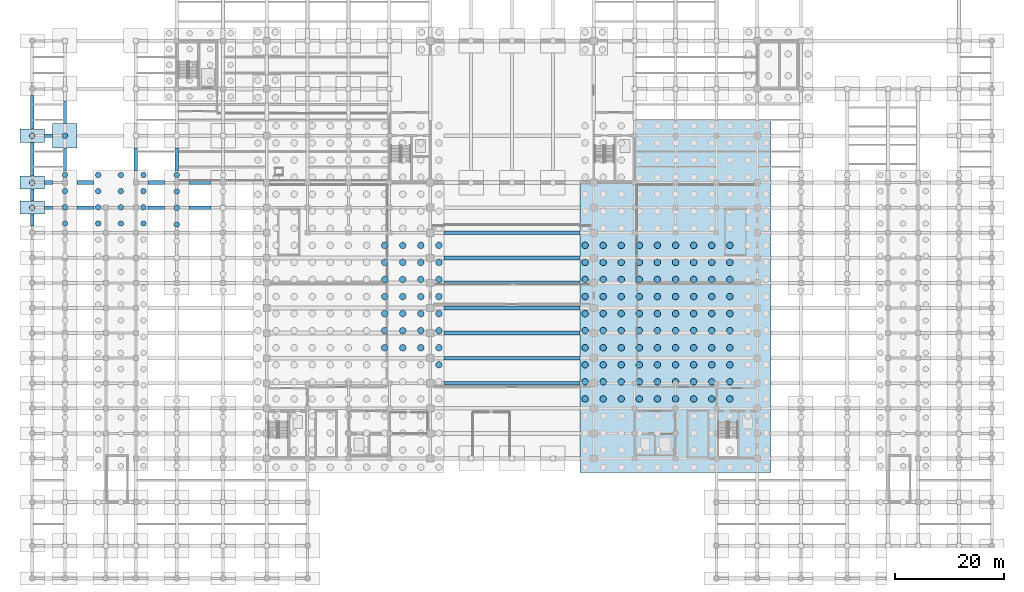
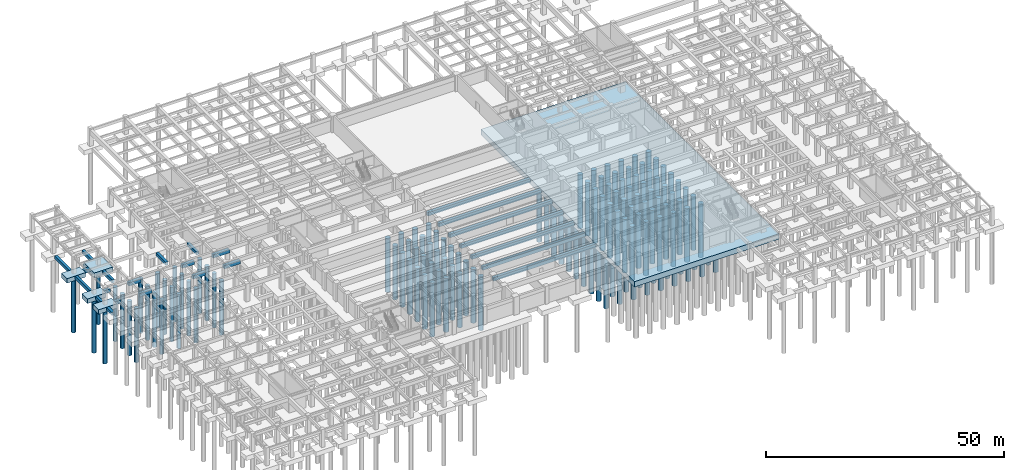
# One storey, part 4 of 32: 143 piles, 29 footings.
"""IFC4 building model written with IfcOpenShell, lengths in metres."""

from ifc_helpers import new_model, si_unit, direction, frame, origin, origin_2d, place, context, subcontext, project, spatial, rectangle, circle, extrude, material, material_profile, profile_set, type_object, element, save


model = new_model("IFC4")

# Units and contexts
model_context = context("Model", 3, precision=1e-05, world=origin(), true_north=direction((0.0, 1.0)))
body_context = subcontext(model_context, "Body", "Model", "MODEL_VIEW")
ifc_project = project(units=[si_unit("LENGTHUNIT", "METRE"), si_unit("AREAUNIT", "SQUARE_METRE"), si_unit("VOLUMEUNIT", "CUBIC_METRE"), si_unit("PLANEANGLEUNIT", "RADIAN"), si_unit("MASSUNIT", "GRAM", prefix="KILO")], contexts=[model_context])

# Site, building, storey
site_placement = place(None, origin())
site = spatial("IfcSite", under=ifc_project, at=site_placement, CompositionType="ELEMENT")
building_placement = place(site_placement, origin())
building = spatial("IfcBuilding", under=site, at=building_placement, Name="Muzn Square Opera House", CompositionType="ELEMENT")
storey_placement = place(building_placement, frame((0.0, 0.0, -4.199951171875)))
storey = spatial("IfcBuildingStorey", under=building, at=storey_placement, Name="B1", CompositionType="ELEMENT", Elevation=-4.199951171875)

# Piles
ifc_material = material(Name="Concrete C40/50", Category="concrete")
ifc_material_profile_1 = material_profile(ifc_material, circle(Radius=0.5, at=origin_2d()), Name="BORED PILE D1000", Category="concrete")
ifc_profile_set_1 = profile_set([ifc_material_profile_1], Name="Concrete C40/50")
pile_type_1 = type_object("IfcPileType", Name="Bored Pile D1000", PredefinedType="BORED", material=ifc_profile_set_1)
for number, where, z_axis, x_axis, name in (
    (1, (6.0, 65.10009765625, -1.570068359375), (0.0, 0.0, -1.0), (1.0, 0.0, 0.0), "Bored Pile BP-B1-BP-D1000-60_651-528"),
    (2, (6.0, 68.066650390625, -1.570068359375), (0.0, 0.0, -1.0), (1.0, 0.0, 0.0), "Bored Pile BP-B1-BP-D1000-60_681-529"),
    (3, (6.0, 71.033203125, -1.570068359375), (0.0, 0.0, -1.0), (1.0, 0.0, 0.0), "Bored Pile BP-B1-BP-D1000-60_710-530"),
    (4, (6.0, 74.0, -1.570068359375), (0.0, 0.0, -1.0), (1.0, 0.0, 0.0), "Bored Pile BP-B1-BP-D1000-60_740-531"),
    (5, (12.10009765625, 65.10009765625, -1.570068359375), (0.0, 0.0, -1.0), (1.0, 0.0, 0.0), "Bored Pile BP-B1-BP-D1000-121_651-547"),
    (6, (12.10009765625, 68.066650390625, -1.570068359375), (0.0, 0.0, -1.0), (1.0, 0.0, 0.0), "Bored Pile BP-B1-BP-D1000-121_681-548"),
    (7, (12.10009765625, 71.033203125, -1.570068359375), (0.0, 0.0, -1.0), (1.0, 0.0, 0.0), "Bored Pile BP-B1-BP-D1000-121_710-549"),
    (8, (12.10009765625, 74.0, -1.570068359375), (0.0, 0.0, -1.0), (1.0, 0.0, 0.0), "Bored Pile BP-B1-BP-D1000-121_740-550"),
    (9, (16.25, 65.10009765625, -1.570068359375), (0.0, 0.0, -1.0), (1.0, 0.0, 0.0), "Bored Pile BP-B1-BP-D1000-162_651-566"),
    (10, (16.25, 68.066650390625, -1.570068359375), (0.0, 0.0, -1.0), (1.0, 0.0, 0.0), "Bored Pile BP-B1-BP-D1000-162_681-567"),
    (11, (16.25, 71.033203125, -1.570068359375), (0.0, 0.0, -1.0), (1.0, 0.0, 0.0), "Bored Pile BP-B1-BP-D1000-162_710-568"),
    (12, (16.25, 74.0, -1.570068359375), (0.0, 0.0, -1.0), (1.0, 0.0, 0.0), "Bored Pile BP-B1-BP-D1000-162_740-569"),
    (13, (20.39990234375, 65.10009765625, -1.570068359375), (0.0, 0.0, -1.0), (1.0, 0.0, 0.0), "Bored Pile BP-B1-BP-D1000-204_651-585"),
    (14, (20.39990234375, 68.066650390625, -1.570068359375), (0.0, 0.0, -1.0), (1.0, 0.0, 0.0), "Bored Pile BP-B1-BP-D1000-204_681-586"),
    (15, (20.39990234375, 71.033203125, -1.570068359375), (0.0, 0.0, -1.0), (1.0, 0.0, 0.0), "Bored Pile BP-B1-BP-D1000-204_710-587"),
    (16, (20.39990234375, 74.0, -1.570068359375), (0.0, 0.0, -1.0), (1.0, 0.0, 0.0), "Bored Pile BP-B1-BP-D1000-204_740-588"),
    (17, (26.5, 64.914306640625, -1.570068359375), (0.0, 0.0, -1.0), (1.0, 0.0, 0.0), "Bored Pile BP-B1-BP-D1000-265_649-706"),
    (18, (26.5, 67.94287109375, -1.570068359375), (0.0, 0.0, -1.0), (1.0, 0.0, 0.0), "Bored Pile BP-B1-BP-D1000-265_679-707"),
    (19, (26.5, 70.971435546875, -1.570068359375), (0.0, 0.0, -1.0), (1.0, 0.0, 0.0), "Bored Pile BP-B1-BP-D1000-265_710-708"),
    (20, (26.5, 74.0, -1.570068359375), (0.0, 0.0, -1.0), (1.0, 0.0, 0.0), "Bored Pile BP-B1-BP-D1000-265_740-709"),
):
    element("IfcPile", number, at=place(storey_placement, frame(where, z_axis=z_axis, x_axis=x_axis)), inside=storey, type_object=pile_type_1, Name=name, PredefinedType="BORED", context=body_context, shape_type="SweptSolid", body=[
        extrude(circle(Radius=0.5, at=origin_2d()), origin(), (0.0, 0.0, 1.0), 13.929931640625),
    ])
for number, where, z_axis, x_axis, name in (
    (21, (0.0, 68.0, -1.469970703125), (0.0, 0.0, -1.0), (1.0, 0.0, 0.0), "Bored Pile BP-B1-BP-D1000-0_680-740"),
    (22, (0.0, 72.60009765625, -1.469970703125), (0.0, 0.0, -1.0), (1.0, 0.0, 0.0), "Bored Pile BP-B1-BP-D1000-0_726-745"),
):
    element("IfcPile", number, at=place(storey_placement, frame(where, z_axis=z_axis, x_axis=x_axis)), inside=storey, type_object=pile_type_1, Name=name, PredefinedType="BORED", context=body_context, shape_type="SweptSolid", body=[
        extrude(circle(Radius=0.5, at=origin_2d()), origin(), (0.0, 0.0, 1.0), 14.030029296875),
    ])
pile_1_placement = place(storey_placement, frame((6.0, 81.199951171875, -1.570068359375), z_axis=(0.0, 0.0, -1.0), x_axis=(1.0, 0.0, 0.0)))
element("IfcPile", 23, at=pile_1_placement, inside=storey, type_object=pile_type_1, Name="Bored Pile BP-B1-BP-D1000-60_812-747", PredefinedType="BORED", context=body_context, shape_type="SweptSolid", body=[
    extrude(circle(Radius=0.5, at=origin_2d()), origin(), (0.0, 0.0, 1.0), 13.929931640625),
])
pile_2_placement = place(storey_placement, frame((0.0, 81.199951171875, -1.469970703125), z_axis=(0.0, 0.0, -1.0), x_axis=(1.0, 0.0, 0.0)))
element("IfcPile", 24, at=pile_2_placement, inside=storey, type_object=pile_type_1, Name="Bored Pile BP-B1-BP-D1000-0_812-753", PredefinedType="BORED", context=body_context, shape_type="SweptSolid", body=[
    extrude(circle(Radius=0.5, at=origin_2d()), origin(), (0.0, 0.0, 1.0), 14.030029296875),
])
ifc_material_profile_2 = material_profile(ifc_material, circle(Radius=0.60009765625, at=origin_2d()), Name="BORED PILE D1200", Category="concrete")
ifc_profile_set_2 = profile_set([ifc_material_profile_2], Name="Concrete C40/50")
pile_type_2 = type_object("IfcPileType", Name="Bored Pile D1200", PredefinedType="BORED", material=ifc_profile_set_2)
for number, where, z_axis, x_axis, name in (
    (25, (64.639892578125, 42.31005859375, -1.719970703125), (0.0, 0.0, -1.0), (1.0, 0.0, 0.0), "Bored Pile BP-B1-BP-D1200-646_423-205"),
    (26, (64.639892578125, 45.43994140625, -1.719970703125), (0.0, 0.0, -1.0), (1.0, 0.0, 0.0), "Bored Pile BP-B1-BP-D1200-646_454-206"),
    (27, (64.639892578125, 48.570068359375, -1.719970703125), (0.0, 0.0, -1.0), (1.0, 0.0, 0.0), "Bored Pile BP-B1-BP-D1200-646_486-207"),
    (28, (64.639892578125, 51.699951171875, -1.719970703125), (0.0, 0.0, -1.0), (1.0, 0.0, 0.0), "Bored Pile BP-B1-BP-D1200-646_517-208"),
    (29, (64.639892578125, 54.830078125, -1.719970703125), (0.0, 0.0, -1.0), (1.0, 0.0, 0.0), "Bored Pile BP-B1-BP-D1200-646_548-209"),
    (30, (64.639892578125, 57.9599609375, -1.719970703125), (0.0, 0.0, -1.0), (1.0, 0.0, 0.0), "Bored Pile BP-B1-BP-D1200-646_580-210"),
    (31, (64.639892578125, 61.090087890625, -1.719970703125), (0.0, 0.0, -1.0), (1.0, 0.0, 0.0), "Bored Pile BP-B1-BP-D1200-646_611-211"),
    (32, (67.9599609375, 42.31005859375, -1.719970703125), (0.0, 0.0, -1.0), (1.0, 0.0, 0.0), "Bored Pile BP-B1-BP-D1200-680_423-226"),
    (33, (67.9599609375, 45.43994140625, -1.719970703125), (0.0, 0.0, -1.0), (1.0, 0.0, 0.0), "Bored Pile BP-B1-BP-D1200-680_454-227"),
    (34, (67.9599609375, 48.570068359375, -1.719970703125), (0.0, 0.0, -1.0), (1.0, 0.0, 0.0), "Bored Pile BP-B1-BP-D1200-680_486-228"),
    (35, (67.9599609375, 51.699951171875, -1.719970703125), (0.0, 0.0, -1.0), (1.0, 0.0, 0.0), "Bored Pile BP-B1-BP-D1200-680_517-229"),
    (36, (67.9599609375, 54.830078125, -1.719970703125), (0.0, 0.0, -1.0), (1.0, 0.0, 0.0), "Bored Pile BP-B1-BP-D1200-680_548-230"),
    (37, (67.9599609375, 57.9599609375, -1.719970703125), (0.0, 0.0, -1.0), (1.0, 0.0, 0.0), "Bored Pile BP-B1-BP-D1200-680_580-231"),
    (38, (67.9599609375, 61.090087890625, -1.719970703125), (0.0, 0.0, -1.0), (1.0, 0.0, 0.0), "Bored Pile BP-B1-BP-D1200-680_611-232"),
    (39, (71.280029296875, 42.31005859375, -1.719970703125), (0.0, 0.0, -1.0), (1.0, 0.0, 0.0), "Bored Pile BP-B1-BP-D1200-713_423-247"),
    (40, (71.280029296875, 45.43994140625, -1.719970703125), (0.0, 0.0, -1.0), (1.0, 0.0, 0.0), "Bored Pile BP-B1-BP-D1200-713_454-248"),
    (41, (71.280029296875, 48.570068359375, -1.719970703125), (0.0, 0.0, -1.0), (1.0, 0.0, 0.0), "Bored Pile BP-B1-BP-D1200-713_486-249"),
    (42, (71.280029296875, 51.699951171875, -1.719970703125), (0.0, 0.0, -1.0), (1.0, 0.0, 0.0), "Bored Pile BP-B1-BP-D1200-713_517-250"),
    (43, (71.280029296875, 54.830078125, -1.719970703125), (0.0, 0.0, -1.0), (1.0, 0.0, 0.0), "Bored Pile BP-B1-BP-D1200-713_548-251"),
    (44, (71.280029296875, 57.9599609375, -1.719970703125), (0.0, 0.0, -1.0), (1.0, 0.0, 0.0), "Bored Pile BP-B1-BP-D1200-713_580-252"),
    (45, (71.280029296875, 61.090087890625, -1.719970703125), (0.0, 0.0, -1.0), (1.0, 0.0, 0.0), "Bored Pile BP-B1-BP-D1200-713_611-253"),
    (46, (74.60009765625, 39.179931640625, -1.719970703125), (0.0, 0.0, -1.0), (1.0, 0.0, 0.0), "Bored Pile BP-B1-BP-D1200-746_392-267"),
    (47, (74.60009765625, 42.31005859375, -1.719970703125), (0.0, 0.0, -1.0), (1.0, 0.0, 0.0), "Bored Pile BP-B1-BP-D1200-746_423-268"),
    (48, (74.60009765625, 45.43994140625, -1.719970703125), (0.0, 0.0, -1.0), (1.0, 0.0, 0.0), "Bored Pile BP-B1-BP-D1200-746_454-269"),
    (49, (74.60009765625, 48.570068359375, -1.719970703125), (0.0, 0.0, -1.0), (1.0, 0.0, 0.0), "Bored Pile BP-B1-BP-D1200-746_486-270"),
    (50, (74.60009765625, 51.699951171875, -1.719970703125), (0.0, 0.0, -1.0), (1.0, 0.0, 0.0), "Bored Pile BP-B1-BP-D1200-746_517-271"),
    (51, (74.60009765625, 54.830078125, -1.719970703125), (0.0, 0.0, -1.0), (1.0, 0.0, 0.0), "Bored Pile BP-B1-BP-D1200-746_548-272"),
    (52, (74.60009765625, 57.9599609375, -1.719970703125), (0.0, 0.0, -1.0), (1.0, 0.0, 0.0), "Bored Pile BP-B1-BP-D1200-746_580-273"),
    (53, (74.60009765625, 61.090087890625, -1.719970703125), (0.0, 0.0, -1.0), (1.0, 0.0, 0.0), "Bored Pile BP-B1-BP-D1200-746_611-274"),
    (54, (101.39990234375, 32.919921875, -1.719970703125), (0.0, 0.0, -1.0), (1.0, 0.0, 0.0), "Bored Pile BP-B1-BP-D1200-1014_329-286"),
    (55, (101.39990234375, 36.050048828125, -1.719970703125), (0.0, 0.0, -1.0), (1.0, 0.0, 0.0), "Bored Pile BP-B1-BP-D1200-1014_360-287"),
    (56, (101.39990234375, 39.179931640625, -1.719970703125), (0.0, 0.0, -1.0), (1.0, 0.0, 0.0), "Bored Pile BP-B1-BP-D1200-1014_392-288"),
    (57, (101.39990234375, 42.31005859375, -1.719970703125), (0.0, 0.0, -1.0), (1.0, 0.0, 0.0), "Bored Pile BP-B1-BP-D1200-1014_423-289"),
    (58, (101.39990234375, 45.43994140625, -1.719970703125), (0.0, 0.0, -1.0), (1.0, 0.0, 0.0), "Bored Pile BP-B1-BP-D1200-1014_454-290"),
    (59, (101.39990234375, 48.570068359375, -1.719970703125), (0.0, 0.0, -1.0), (1.0, 0.0, 0.0), "Bored Pile BP-B1-BP-D1200-1014_486-291"),
    (60, (101.39990234375, 51.699951171875, -1.719970703125), (0.0, 0.0, -1.0), (1.0, 0.0, 0.0), "Bored Pile BP-B1-BP-D1200-1014_517-292"),
    (61, (101.39990234375, 54.830078125, -1.719970703125), (0.0, 0.0, -1.0), (1.0, 0.0, 0.0), "Bored Pile BP-B1-BP-D1200-1014_548-293"),
    (62, (101.39990234375, 57.9599609375, -1.719970703125), (0.0, 0.0, -1.0), (1.0, 0.0, 0.0), "Bored Pile BP-B1-BP-D1200-1014_580-294"),
    (63, (101.39990234375, 61.090087890625, -1.719970703125), (0.0, 0.0, -1.0), (1.0, 0.0, 0.0), "Bored Pile BP-B1-BP-D1200-1014_611-295"),
    (64, (104.719970703125, 32.919921875, -1.719970703125), (0.0, 0.0, -1.0), (1.0, 0.0, 0.0), "Bored Pile BP-B1-BP-D1200-1047_329-307"),
    (65, (104.719970703125, 36.050048828125, -1.719970703125), (0.0, 0.0, -1.0), (1.0, 0.0, 0.0), "Bored Pile BP-B1-BP-D1200-1047_360-308"),
    (66, (104.719970703125, 39.179931640625, -1.719970703125), (0.0, 0.0, -1.0), (1.0, 0.0, 0.0), "Bored Pile BP-B1-BP-D1200-1047_392-309"),
    (67, (104.719970703125, 42.31005859375, -1.719970703125), (0.0, 0.0, -1.0), (1.0, 0.0, 0.0), "Bored Pile BP-B1-BP-D1200-1047_423-310"),
    (68, (104.719970703125, 45.43994140625, -1.719970703125), (0.0, 0.0, -1.0), (1.0, 0.0, 0.0), "Bored Pile BP-B1-BP-D1200-1047_454-311"),
    (69, (104.719970703125, 48.570068359375, -1.719970703125), (0.0, 0.0, -1.0), (1.0, 0.0, 0.0), "Bored Pile BP-B1-BP-D1200-1047_486-312"),
    (70, (104.719970703125, 51.699951171875, -1.719970703125), (0.0, 0.0, -1.0), (1.0, 0.0, 0.0), "Bored Pile BP-B1-BP-D1200-1047_517-313"),
    (71, (104.719970703125, 54.830078125, -1.719970703125), (0.0, 0.0, -1.0), (1.0, 0.0, 0.0), "Bored Pile BP-B1-BP-D1200-1047_548-314"),
    (72, (104.719970703125, 57.9599609375, -1.719970703125), (0.0, 0.0, -1.0), (1.0, 0.0, 0.0), "Bored Pile BP-B1-BP-D1200-1047_580-315"),
    (73, (104.719970703125, 61.090087890625, -1.719970703125), (0.0, 0.0, -1.0), (1.0, 0.0, 0.0), "Bored Pile BP-B1-BP-D1200-1047_611-316"),
    (74, (108.0400390625, 32.919921875, -1.719970703125), (0.0, 0.0, -1.0), (1.0, 0.0, 0.0), "Bored Pile BP-B1-BP-D1200-1080_329-328"),
    (75, (108.0400390625, 36.050048828125, -1.719970703125), (0.0, 0.0, -1.0), (1.0, 0.0, 0.0), "Bored Pile BP-B1-BP-D1200-1080_360-329"),
    (76, (108.0400390625, 39.179931640625, -1.719970703125), (0.0, 0.0, -1.0), (1.0, 0.0, 0.0), "Bored Pile BP-B1-BP-D1200-1080_392-330"),
    (77, (108.0400390625, 42.31005859375, -1.719970703125), (0.0, 0.0, -1.0), (1.0, 0.0, 0.0), "Bored Pile BP-B1-BP-D1200-1080_423-331"),
    (78, (108.0400390625, 45.43994140625, -1.719970703125), (0.0, 0.0, -1.0), (1.0, 0.0, 0.0), "Bored Pile BP-B1-BP-D1200-1080_454-332"),
    (79, (108.0400390625, 48.570068359375, -1.719970703125), (0.0, 0.0, -1.0), (1.0, 0.0, 0.0), "Bored Pile BP-B1-BP-D1200-1080_486-333"),
    (80, (108.0400390625, 51.699951171875, -1.719970703125), (0.0, 0.0, -1.0), (1.0, 0.0, 0.0), "Bored Pile BP-B1-BP-D1200-1080_517-334"),
    (81, (108.0400390625, 54.830078125, -1.719970703125), (0.0, 0.0, -1.0), (1.0, 0.0, 0.0), "Bored Pile BP-B1-BP-D1200-1080_548-335"),
    (82, (108.0400390625, 57.9599609375, -1.719970703125), (0.0, 0.0, -1.0), (1.0, 0.0, 0.0), "Bored Pile BP-B1-BP-D1200-1080_580-336"),
    (83, (108.0400390625, 61.090087890625, -1.719970703125), (0.0, 0.0, -1.0), (1.0, 0.0, 0.0), "Bored Pile BP-B1-BP-D1200-1080_611-337"),
    (84, (111.360107421875, 32.919921875, -1.719970703125), (0.0, 0.0, -1.0), (1.0, 0.0, 0.0), "Bored Pile BP-B1-BP-D1200-1114_329-349"),
    (85, (111.360107421875, 36.050048828125, -1.719970703125), (0.0, 0.0, -1.0), (1.0, 0.0, 0.0), "Bored Pile BP-B1-BP-D1200-1114_360-350"),
    (86, (111.360107421875, 39.179931640625, -1.719970703125), (0.0, 0.0, -1.0), (1.0, 0.0, 0.0), "Bored Pile BP-B1-BP-D1200-1114_392-351"),
    (87, (111.360107421875, 42.31005859375, -1.719970703125), (0.0, 0.0, -1.0), (1.0, 0.0, 0.0), "Bored Pile BP-B1-BP-D1200-1114_423-352"),
    (88, (111.360107421875, 45.43994140625, -1.719970703125), (0.0, 0.0, -1.0), (1.0, 0.0, 0.0), "Bored Pile BP-B1-BP-D1200-1114_454-353"),
    (89, (111.360107421875, 48.570068359375, -1.719970703125), (0.0, 0.0, -1.0), (1.0, 0.0, 0.0), "Bored Pile BP-B1-BP-D1200-1114_486-354"),
    (90, (111.360107421875, 51.699951171875, -1.719970703125), (0.0, 0.0, -1.0), (1.0, 0.0, 0.0), "Bored Pile BP-B1-BP-D1200-1114_517-355"),
    (91, (111.360107421875, 54.830078125, -1.719970703125), (0.0, 0.0, -1.0), (1.0, 0.0, 0.0), "Bored Pile BP-B1-BP-D1200-1114_548-356"),
    (92, (111.360107421875, 57.9599609375, -1.719970703125), (0.0, 0.0, -1.0), (1.0, 0.0, 0.0), "Bored Pile BP-B1-BP-D1200-1114_580-357"),
    (93, (111.360107421875, 61.090087890625, -1.719970703125), (0.0, 0.0, -1.0), (1.0, 0.0, 0.0), "Bored Pile BP-B1-BP-D1200-1114_611-358"),
    (94, (114.679931640625, 32.919921875, -1.719970703125), (0.0, 0.0, -1.0), (1.0, 0.0, 0.0), "Bored Pile BP-B1-BP-D1200-1147_329-370"),
    (95, (114.679931640625, 36.050048828125, -1.719970703125), (0.0, 0.0, -1.0), (1.0, 0.0, 0.0), "Bored Pile BP-B1-BP-D1200-1147_360-371"),
    (96, (114.679931640625, 39.179931640625, -1.719970703125), (0.0, 0.0, -1.0), (1.0, 0.0, 0.0), "Bored Pile BP-B1-BP-D1200-1147_392-372"),
    (97, (114.679931640625, 42.31005859375, -1.719970703125), (0.0, 0.0, -1.0), (1.0, 0.0, 0.0), "Bored Pile BP-B1-BP-D1200-1147_423-373"),
    (98, (114.679931640625, 45.43994140625, -1.719970703125), (0.0, 0.0, -1.0), (1.0, 0.0, 0.0), "Bored Pile BP-B1-BP-D1200-1147_454-374"),
    (99, (114.679931640625, 48.570068359375, -1.719970703125), (0.0, 0.0, -1.0), (1.0, 0.0, 0.0), "Bored Pile BP-B1-BP-D1200-1147_486-375"),
    (100, (114.679931640625, 51.699951171875, -1.719970703125), (0.0, 0.0, -1.0), (1.0, 0.0, 0.0), "Bored Pile BP-B1-BP-D1200-1147_517-376"),
    (101, (114.679931640625, 54.830078125, -1.719970703125), (0.0, 0.0, -1.0), (1.0, 0.0, 0.0), "Bored Pile BP-B1-BP-D1200-1147_548-377"),
    (102, (114.679931640625, 57.9599609375, -1.719970703125), (0.0, 0.0, -1.0), (1.0, 0.0, 0.0), "Bored Pile BP-B1-BP-D1200-1147_580-378"),
    (103, (114.679931640625, 61.090087890625, -1.719970703125), (0.0, 0.0, -1.0), (1.0, 0.0, 0.0), "Bored Pile BP-B1-BP-D1200-1147_611-379"),
    (104, (118.0, 32.919921875, -1.719970703125), (0.0, 0.0, -1.0), (1.0, 0.0, 0.0), "Bored Pile BP-B1-BP-D1200-1180_329-391"),
    (105, (118.0, 36.050048828125, -1.719970703125), (0.0, 0.0, -1.0), (1.0, 0.0, 0.0), "Bored Pile BP-B1-BP-D1200-1180_360-392"),
    (106, (118.0, 39.179931640625, -1.719970703125), (0.0, 0.0, -1.0), (1.0, 0.0, 0.0), "Bored Pile BP-B1-BP-D1200-1180_392-393"),
    (107, (118.0, 42.31005859375, -1.719970703125), (0.0, 0.0, -1.0), (1.0, 0.0, 0.0), "Bored Pile BP-B1-BP-D1200-1180_423-394"),
    (108, (118.0, 45.43994140625, -1.719970703125), (0.0, 0.0, -1.0), (1.0, 0.0, 0.0), "Bored Pile BP-B1-BP-D1200-1180_454-395"),
    (109, (118.0, 48.570068359375, -1.719970703125), (0.0, 0.0, -1.0), (1.0, 0.0, 0.0), "Bored Pile BP-B1-BP-D1200-1180_486-396"),
    (110, (118.0, 51.699951171875, -1.719970703125), (0.0, 0.0, -1.0), (1.0, 0.0, 0.0), "Bored Pile BP-B1-BP-D1200-1180_517-397"),
    (111, (118.0, 54.830078125, -1.719970703125), (0.0, 0.0, -1.0), (1.0, 0.0, 0.0), "Bored Pile BP-B1-BP-D1200-1180_548-398"),
    (112, (118.0, 57.9599609375, -1.719970703125), (0.0, 0.0, -1.0), (1.0, 0.0, 0.0), "Bored Pile BP-B1-BP-D1200-1180_580-399"),
    (113, (118.0, 61.090087890625, -1.719970703125), (0.0, 0.0, -1.0), (1.0, 0.0, 0.0), "Bored Pile BP-B1-BP-D1200-1180_611-400"),
    (114, (121.320068359375, 32.919921875, -1.719970703125), (0.0, 0.0, -1.0), (1.0, 0.0, 0.0), "Bored Pile BP-B1-BP-D1200-1213_329-412"),
    (115, (121.320068359375, 36.050048828125, -1.719970703125), (0.0, 0.0, -1.0), (1.0, 0.0, 0.0), "Bored Pile BP-B1-BP-D1200-1213_360-413"),
    (116, (121.320068359375, 39.179931640625, -1.719970703125), (0.0, 0.0, -1.0), (1.0, 0.0, 0.0), "Bored Pile BP-B1-BP-D1200-1213_392-414"),
    (117, (121.320068359375, 42.31005859375, -1.719970703125), (0.0, 0.0, -1.0), (1.0, 0.0, 0.0), "Bored Pile BP-B1-BP-D1200-1213_423-415"),
    (118, (121.320068359375, 45.43994140625, -1.719970703125), (0.0, 0.0, -1.0), (1.0, 0.0, 0.0), "Bored Pile BP-B1-BP-D1200-1213_454-416"),
    (119, (121.320068359375, 48.570068359375, -1.719970703125), (0.0, 0.0, -1.0), (1.0, 0.0, 0.0), "Bored Pile BP-B1-BP-D1200-1213_486-417"),
    (120, (121.320068359375, 51.699951171875, -1.719970703125), (0.0, 0.0, -1.0), (1.0, 0.0, 0.0), "Bored Pile BP-B1-BP-D1200-1213_517-418"),
    (121, (121.320068359375, 54.830078125, -1.719970703125), (0.0, 0.0, -1.0), (1.0, 0.0, 0.0), "Bored Pile BP-B1-BP-D1200-1213_548-419"),
    (122, (121.320068359375, 57.9599609375, -1.719970703125), (0.0, 0.0, -1.0), (1.0, 0.0, 0.0), "Bored Pile BP-B1-BP-D1200-1213_580-420"),
    (123, (121.320068359375, 61.090087890625, -1.719970703125), (0.0, 0.0, -1.0), (1.0, 0.0, 0.0), "Bored Pile BP-B1-BP-D1200-1213_611-421"),
    (124, (124.639892578125, 32.919921875, -1.719970703125), (0.0, 0.0, -1.0), (1.0, 0.0, 0.0), "Bored Pile BP-B1-BP-D1200-1246_329-433"),
    (125, (124.639892578125, 36.050048828125, -1.719970703125), (0.0, 0.0, -1.0), (1.0, 0.0, 0.0), "Bored Pile BP-B1-BP-D1200-1246_360-434"),
    (126, (124.639892578125, 39.179931640625, -1.719970703125), (0.0, 0.0, -1.0), (1.0, 0.0, 0.0), "Bored Pile BP-B1-BP-D1200-1246_392-435"),
    (127, (124.639892578125, 42.31005859375, -1.719970703125), (0.0, 0.0, -1.0), (1.0, 0.0, 0.0), "Bored Pile BP-B1-BP-D1200-1246_423-436"),
    (128, (124.639892578125, 45.43994140625, -1.719970703125), (0.0, 0.0, -1.0), (1.0, 0.0, 0.0), "Bored Pile BP-B1-BP-D1200-1246_454-437"),
    (129, (124.639892578125, 48.570068359375, -1.719970703125), (0.0, 0.0, -1.0), (1.0, 0.0, 0.0), "Bored Pile BP-B1-BP-D1200-1246_486-438"),
    (130, (124.639892578125, 51.699951171875, -1.719970703125), (0.0, 0.0, -1.0), (1.0, 0.0, 0.0), "Bored Pile BP-B1-BP-D1200-1246_517-439"),
    (131, (124.639892578125, 54.830078125, -1.719970703125), (0.0, 0.0, -1.0), (1.0, 0.0, 0.0), "Bored Pile BP-B1-BP-D1200-1246_548-440"),
    (132, (124.639892578125, 57.9599609375, -1.719970703125), (0.0, 0.0, -1.0), (1.0, 0.0, 0.0), "Bored Pile BP-B1-BP-D1200-1246_580-441"),
    (133, (124.639892578125, 61.090087890625, -1.719970703125), (0.0, 0.0, -1.0), (1.0, 0.0, 0.0), "Bored Pile BP-B1-BP-D1200-1246_611-442"),
    (134, (127.9599609375, 32.919921875, -1.719970703125), (0.0, 0.0, -1.0), (1.0, 0.0, 0.0), "Bored Pile BP-B1-BP-D1200-1280_329-454"),
    (135, (127.9599609375, 36.050048828125, -1.719970703125), (0.0, 0.0, -1.0), (1.0, 0.0, 0.0), "Bored Pile BP-B1-BP-D1200-1280_360-455"),
    (136, (127.9599609375, 39.179931640625, -1.719970703125), (0.0, 0.0, -1.0), (1.0, 0.0, 0.0), "Bored Pile BP-B1-BP-D1200-1280_392-456"),
    (137, (127.9599609375, 42.31005859375, -1.719970703125), (0.0, 0.0, -1.0), (1.0, 0.0, 0.0), "Bored Pile BP-B1-BP-D1200-1280_423-457"),
    (138, (127.9599609375, 45.43994140625, -1.719970703125), (0.0, 0.0, -1.0), (1.0, 0.0, 0.0), "Bored Pile BP-B1-BP-D1200-1280_454-458"),
    (139, (127.9599609375, 48.570068359375, -1.719970703125), (0.0, 0.0, -1.0), (1.0, 0.0, 0.0), "Bored Pile BP-B1-BP-D1200-1280_486-459"),
    (140, (127.9599609375, 51.699951171875, -1.719970703125), (0.0, 0.0, -1.0), (1.0, 0.0, 0.0), "Bored Pile BP-B1-BP-D1200-1280_517-460"),
    (141, (127.9599609375, 54.830078125, -1.719970703125), (0.0, 0.0, -1.0), (1.0, 0.0, 0.0), "Bored Pile BP-B1-BP-D1200-1280_548-461"),
    (142, (127.9599609375, 57.9599609375, -1.719970703125), (0.0, 0.0, -1.0), (1.0, 0.0, 0.0), "Bored Pile BP-B1-BP-D1200-1280_580-462"),
    (143, (127.9599609375, 61.090087890625, -1.719970703125), (0.0, 0.0, -1.0), (1.0, 0.0, 0.0), "Bored Pile BP-B1-BP-D1200-1280_611-463"),
):
    element("IfcPile", number, at=place(storey_placement, frame(where, z_axis=z_axis, x_axis=x_axis)), inside=storey, type_object=pile_type_2, Name=name, PredefinedType="BORED", context=body_context, shape_type="SweptSolid", body=[
        extrude(circle(Radius=0.60009765625, at=origin_2d()), origin(), (0.0, 0.0, 1.0), 13.780029296875),
    ])

# Footings
ifc_material_profile_3 = material_profile(ifc_material, rectangle(XDim=0.60009765625, YDim=0.800048828125, at=origin_2d()), Name="RCTB 600x800", Category="concrete")
ifc_profile_set_3 = profile_set([ifc_material_profile_3], Name="Concrete C40/50")
footing_type_1 = type_object("IfcFootingType", Name="Foundation Tie Beam 600x800", PredefinedType="FOOTING_BEAM", material=ifc_profile_set_3)
for number, where, z_axis, x_axis, name in (
    (144, (0.0, 64.60009765625, -0.820068359375), (0.0, 1.0, 0.0), (-1.0, 0.0, 0.0), "Foundation Tie Beam FTB-Y233"),
    (145, (0.0, 69.199951171875, -0.820068359375), (0.0, 1.0, 0.0), (-1.0, 0.0, 0.0), "Foundation Tie Beam FTB-Y234"),
):
    element("IfcFooting", number, at=place(storey_placement, frame(where, z_axis=z_axis, x_axis=x_axis)), inside=storey, type_object=footing_type_1, Name=name, PredefinedType="FOOTING_BEAM", context=body_context, shape_type="SweptSolid", body=[
        extrude(rectangle(XDim=0.60009765625, YDim=0.800048828125, at=origin_2d()), origin(), (0.0, 0.0, 1.0), 2.199951171875),
    ])
footing_1_placement = place(storey_placement, frame((0.0, 73.800048828125, -0.820068359375), z_axis=(0.0, 1.0, 0.0), x_axis=(-1.0, 0.0, 0.0)))
element("IfcFooting", 146, at=footing_1_placement, inside=storey, type_object=footing_type_1, Name="Foundation Tie Beam FTB-Y235", PredefinedType="FOOTING_BEAM", context=body_context, shape_type="SweptSolid", body=[
    extrude(rectangle(XDim=0.60009765625, YDim=0.800048828125, at=origin_2d()), origin(), (0.0, 0.0, 1.0), 6.199951171875),
])
footing_2_placement = place(storey_placement, frame((0.0, 82.39990234375, -0.820068359375), z_axis=(0.0, 1.0, 0.0), x_axis=(-1.0, 0.0, 0.0)))
element("IfcFooting", 147, at=footing_2_placement, inside=storey, type_object=footing_type_1, Name="Foundation Tie Beam FTB-Y236", PredefinedType="FOOTING_BEAM", context=body_context, shape_type="SweptSolid", body=[
    extrude(rectangle(XDim=0.60009765625, YDim=0.800048828125, at=origin_2d()), origin(), (0.0, 0.0, 1.0), 6.2001953125),
])
footing_3_placement = place(storey_placement, frame((6.0, 74.85009765625, -0.820068359375), z_axis=(0.0, 1.0, 0.0), x_axis=(-1.0, 0.0, 0.0)))
element("IfcFooting", 148, at=footing_3_placement, inside=storey, type_object=footing_type_1, Name="Foundation Tie Beam FTB-Y241", PredefinedType="FOOTING_BEAM", context=body_context, shape_type="SweptSolid", body=[
    extrude(rectangle(XDim=0.60009765625, YDim=0.800048828125, at=origin_2d()), origin(), (0.0, 0.0, 1.0), 4.099853515625),
])
footing_4_placement = place(storey_placement, frame((6.0, 83.449951171875, -0.820068359375), z_axis=(0.0, 1.0, 0.0), x_axis=(-1.0, 0.0, 0.0)))
element("IfcFooting", 149, at=footing_4_placement, inside=storey, type_object=footing_type_1, Name="Foundation Tie Beam FTB-Y242", PredefinedType="FOOTING_BEAM", context=body_context, shape_type="SweptSolid", body=[
    extrude(rectangle(XDim=0.60009765625, YDim=0.800048828125, at=origin_2d()), origin(), (0.0, 0.0, 1.0), 4.10009765625),
])
for number, where, z_axis, x_axis, name in (
    (150, (19.0, 74.85009765625, -0.820068359375), (0.0, 1.0, 0.0), (-1.0, 0.0, 0.0), "Foundation Tie Beam FTB-Y250"),
    (151, (26.5, 74.85009765625, -0.820068359375), (0.0, 1.0, 0.0), (-1.0, 0.0, 0.0), "Foundation Tie Beam FTB-Y257"),
):
    element("IfcFooting", number, at=place(storey_placement, frame(where, z_axis=z_axis, x_axis=x_axis)), inside=storey, type_object=footing_type_1, Name=name, PredefinedType="FOOTING_BEAM", context=body_context, shape_type="SweptSolid", body=[
        extrude(rectangle(XDim=0.60009765625, YDim=0.800048828125, at=origin_2d()), origin(), (0.0, 0.0, 1.0), 4.099853515625),
    ])
ifc_material_profile_4 = material_profile(ifc_material, rectangle(XDim=0.699951171875, YDim=0.89990234375, at=origin_2d()), Name="RCTB 700x900", Category="concrete")
ifc_profile_set_4 = profile_set([ifc_material_profile_4], Name="Concrete C40/50")
footing_type_2 = type_object("IfcFootingType", Name="Foundation Tie Beam 700x900", PredefinedType="FOOTING_BEAM", material=ifc_profile_set_4)
for number, where, z_axis, x_axis, name in (
    (152, (75.550048828125, 35.800048828125, -0.8701171875), (1.0, 0.0, 0.0), (0.0, 1.0, 0.0), "Foundation Tie Beam FTB-X080"),
    (153, (75.550048828125, 40.39990234375, -0.8701171875), (1.0, 0.0, 0.0), (0.0, 1.0, 0.0), "Foundation Tie Beam FTB-X087"),
    (154, (75.550048828125, 45.0, -0.8701171875), (1.0, 0.0, 0.0), (0.0, 1.0, 0.0), "Foundation Tie Beam FTB-X094"),
    (155, (75.550048828125, 49.60009765625, -0.8701171875), (1.0, 0.0, 0.0), (0.0, 1.0, 0.0), "Foundation Tie Beam FTB-X101"),
    (156, (75.550048828125, 54.199951171875, -0.8701171875), (1.0, 0.0, 0.0), (0.0, 1.0, 0.0), "Foundation Tie Beam FTB-X110"),
    (157, (75.550048828125, 58.800048828125, -0.8701171875), (1.0, 0.0, 0.0), (0.0, 1.0, 0.0), "Foundation Tie Beam FTB-X121"),
    (158, (75.550048828125, 63.39990234375, -0.8701171875), (1.0, 0.0, 0.0), (0.0, 1.0, 0.0), "Foundation Tie Beam FTB-X132"),
):
    element("IfcFooting", number, at=place(storey_placement, frame(where, z_axis=z_axis, x_axis=x_axis)), inside=storey, type_object=footing_type_2, Name=name, PredefinedType="FOOTING_BEAM", context=body_context, shape_type="SweptSolid", body=[
        extrude(rectangle(XDim=0.699951171875, YDim=0.89990234375, at=origin_2d()), origin(), (0.0, 0.0, 1.0), 24.89990234375),
    ])
footing_5_placement = place(storey_placement, frame((2.25, 68.0, -0.8701171875), z_axis=(1.0, 0.0, 0.0), x_axis=(0.0, 1.0, 0.0)))
element("IfcFooting", 159, at=footing_5_placement, inside=storey, type_object=footing_type_2, Name="Foundation Tie Beam FTB-X138", PredefinedType="FOOTING_BEAM", context=body_context, shape_type="SweptSolid", body=[
    extrude(rectangle(XDim=0.699951171875, YDim=0.89990234375, at=origin_2d()), origin(), (0.0, 0.0, 1.0), 1.5),
])
for number, where, z_axis, x_axis, name in (
    (160, (8.25, 68.0, -0.8701171875), (1.0, 0.0, 0.0), (0.0, 1.0, 0.0), "Foundation Tie Beam FTB-X139"),
    (161, (21.25, 68.0, -0.8701171875), (1.0, 0.0, 0.0), (0.0, 1.0, 0.0), "Foundation Tie Beam FTB-X140"),
):
    element("IfcFooting", number, at=place(storey_placement, frame(where, z_axis=z_axis, x_axis=x_axis)), inside=storey, type_object=footing_type_2, Name=name, PredefinedType="FOOTING_BEAM", context=body_context, shape_type="SweptSolid", body=[
        extrude(rectangle(XDim=0.699951171875, YDim=0.89990234375, at=origin_2d()), origin(), (0.0, 0.0, 1.0), 3.0),
    ])
footing_6_placement = place(storey_placement, frame((28.75, 68.0, -0.8701171875), z_axis=(1.0, 0.0, 0.0), x_axis=(0.0, 1.0, 0.0)))
element("IfcFooting", 162, at=footing_6_placement, inside=storey, type_object=footing_type_2, Name="Foundation Tie Beam FTB-X141", PredefinedType="FOOTING_BEAM", context=body_context, shape_type="SweptSolid", body=[
    extrude(rectangle(XDim=0.699951171875, YDim=0.89990234375, at=origin_2d()), origin(), (0.0, 0.0, 1.0), 4.0),
])
footing_7_placement = place(storey_placement, frame((2.25, 72.60009765625, -0.8701171875), z_axis=(1.0, 0.0, 0.0), x_axis=(0.0, 1.0, 0.0)))
element("IfcFooting", 163, at=footing_7_placement, inside=storey, type_object=footing_type_2, Name="Foundation Tie Beam FTB-X149", PredefinedType="FOOTING_BEAM", context=body_context, shape_type="SweptSolid", body=[
    extrude(rectangle(XDim=0.699951171875, YDim=0.89990234375, at=origin_2d()), origin(), (0.0, 0.0, 1.0), 1.5),
])
for number, where, z_axis, x_axis, name in (
    (164, (8.25, 72.60009765625, -0.8701171875), (1.0, 0.0, 0.0), (0.0, 1.0, 0.0), "Foundation Tie Beam FTB-X150"),
    (165, (21.25, 72.60009765625, -0.8701171875), (1.0, 0.0, 0.0), (0.0, 1.0, 0.0), "Foundation Tie Beam FTB-X151"),
):
    element("IfcFooting", number, at=place(storey_placement, frame(where, z_axis=z_axis, x_axis=x_axis)), inside=storey, type_object=footing_type_2, Name=name, PredefinedType="FOOTING_BEAM", context=body_context, shape_type="SweptSolid", body=[
        extrude(rectangle(XDim=0.699951171875, YDim=0.89990234375, at=origin_2d()), origin(), (0.0, 0.0, 1.0), 3.0),
    ])
footing_8_placement = place(storey_placement, frame((28.75, 72.60009765625, -0.8701171875), z_axis=(1.0, 0.0, 0.0), x_axis=(0.0, 1.0, 0.0)))
element("IfcFooting", 166, at=footing_8_placement, inside=storey, type_object=footing_type_2, Name="Foundation Tie Beam FTB-X152", PredefinedType="FOOTING_BEAM", context=body_context, shape_type="SweptSolid", body=[
    extrude(rectangle(XDim=0.699951171875, YDim=0.89990234375, at=origin_2d()), origin(), (0.0, 0.0, 1.0), 4.0),
])
footing_9_placement = place(storey_placement, frame((2.25, 81.199951171875, -0.8701171875), z_axis=(1.0, 0.0, 0.0), x_axis=(0.0, 1.0, 0.0)))
element("IfcFooting", 167, at=footing_9_placement, inside=storey, type_object=footing_type_2, Name="Foundation Tie Beam FTB-X163", PredefinedType="FOOTING_BEAM", context=body_context, shape_type="SweptSolid", body=[
    extrude(rectangle(XDim=0.699951171875, YDim=0.89990234375, at=origin_2d()), origin(), (0.0, 0.0, 1.0), 1.5),
])
footing_type_3 = type_object("IfcFootingType", Name="Pile Cap 4500x2400x1150", PredefinedType="PILE_CAP", material=ifc_material)
for number, where, z_axis, x_axis, name in (
    (168, (0.0, 68.0, -1.570068359375), (0.0, 0.0, 1.0), (1.0, 0.0, 0.0), "Pile Cap PC-B1-084"),
    (169, (0.0, 72.60009765625, -1.570068359375), (0.0, 0.0, 1.0), (1.0, 0.0, 0.0), "Pile Cap PC-B1-089"),
    (170, (0.0, 81.199951171875, -1.570068359375), (0.0, 0.0, 1.0), (1.0, 0.0, 0.0), "Pile Cap PC-B1-097"),
):
    element("IfcFooting", number, at=place(storey_placement, frame(where, z_axis=z_axis, x_axis=x_axis)), inside=storey, type_object=footing_type_3, Name=name, PredefinedType="PILE_CAP", context=body_context, shape_type="SweptSolid", body=[
        extrude(rectangle(XDim=4.5, YDim=2.39990234375, at=origin_2d()), origin(), (0.0, 0.0, 1.0), 1.14990234375),
    ])
footing_type_4 = type_object("IfcFootingType", Name="Pile Cap 4500x4500x1250", PredefinedType="PILE_CAP", material=ifc_material)
footing_10_placement = place(storey_placement, frame((6.0, 81.199951171875, -1.670166015625), z_axis=(0.0, 0.0, 1.0), x_axis=(1.0, 0.0, 0.0)))
element("IfcFooting", 171, at=footing_10_placement, inside=storey, type_object=footing_type_4, Name="Pile Cap PC-B1-091", PredefinedType="PILE_CAP", context=body_context, shape_type="SweptSolid", body=[
    extrude(rectangle(XDim=4.5, YDim=4.5, at=origin_2d()), origin(), (0.0, 0.0, 1.0), 1.25),
])
footing_type_5 = type_object("IfcFootingType", Name="Pile Cap 64500x35100x1400", PredefinedType="PILE_CAP", material=ifc_material)
footing_11_placement = place(storey_placement, frame((118.0, 51.699951171875, -1.820068359375), z_axis=(0.0, 0.0, 1.0), x_axis=(1.0, 0.0, 0.0)))
element("IfcFooting", 172, at=footing_11_placement, inside=storey, type_object=footing_type_5, Name="Pile Cap PC-B1-048", PredefinedType="PILE_CAP", context=body_context, shape_type="SweptSolid", body=[
    extrude(rectangle(XDim=35.10009765625, YDim=64.5, at=origin_2d()), origin(), (0.0, 0.0, 1.0), 1.39990234375),
])

save(model, "model.ifc")
